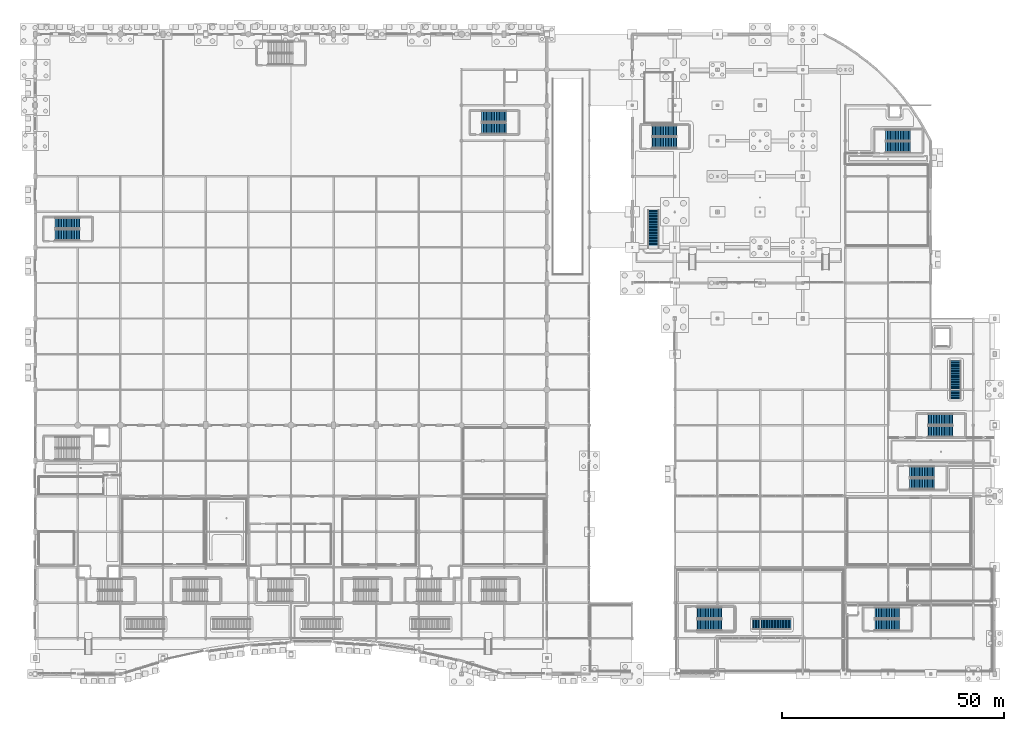
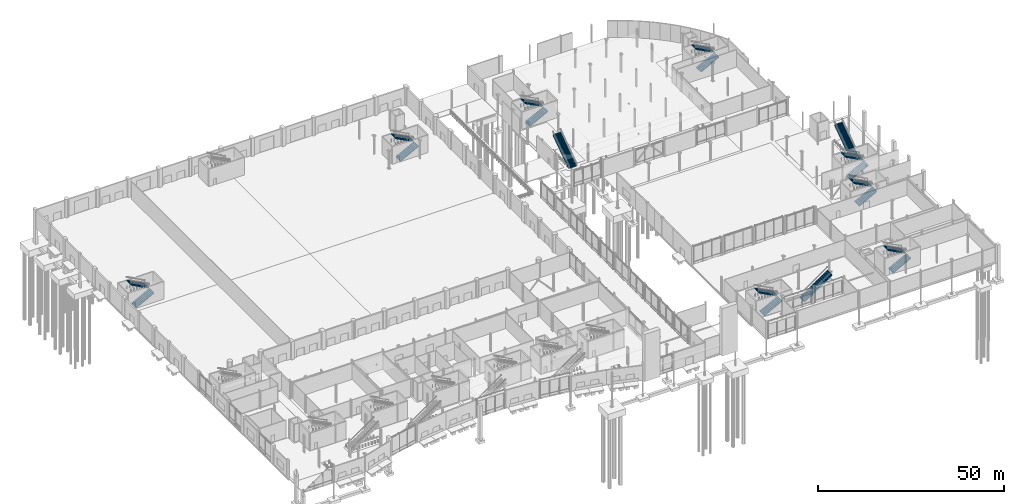
# One storey, part 90 of 124: 19 stair flights, 11 elements without a shape of their own.
"""IFC4 building model written with IfcOpenShell, lengths in metres."""

from ifc_helpers import new_model, si_unit, direction, frame, origin, place, context, subcontext, project, spatial, polyline, outline, extrude, material, type_object, element, aggregate, save


model = new_model("IFC4")

# Units and contexts
model_context = context("Model", 3, precision=1e-05, world=origin(), true_north=direction((0.0, 1.0)))
body_context = subcontext(model_context, "Body", "Model", "MODEL_VIEW")
ifc_project = project(units=[si_unit("LENGTHUNIT", "METRE"), si_unit("AREAUNIT", "SQUARE_METRE"), si_unit("VOLUMEUNIT", "CUBIC_METRE"), si_unit("PLANEANGLEUNIT", "RADIAN"), si_unit("MASSUNIT", "GRAM", prefix="KILO")], contexts=[model_context])

# Site, building, storey
site_placement = place(None, origin())
site = spatial("IfcSite", under=ifc_project, at=site_placement, CompositionType="ELEMENT")
building_placement = place(site_placement, origin())
building = spatial("IfcBuilding", under=site, at=building_placement, Name="Danafjord Basin Convention Centre", CompositionType="ELEMENT")
storey_placement = place(building_placement, origin())
storey = spatial("IfcBuildingStorey", under=building, at=storey_placement, Name="L00", CompositionType="ELEMENT", Elevation=0.0)

# Stair, stair flights
ifc_material_1 = material(Name="Concrete C40/50", Category="concrete")
stair_type_1 = type_object("IfcStairType", Name="STAIR-STR-C01", PredefinedType="TWO_STRAIGHT_RUN_STAIR", material=ifc_material_1)
stair_1_placement = place(storey_placement, origin())
stair_1 = element("IfcStair", 1, at=stair_1_placement, inside=storey, type_object=stair_type_1, Name="L00 North Exhibition Core Stair 1", PredefinedType="HALF_TURN_STAIR")
ifc_material_2 = material(Name="Precast concrete C40/50", Category="concrete")
stair_flight_type = type_object("IfcStairFlightType", Name="SFLT-STD", PredefinedType="STRAIGHT", material=ifc_material_2)
stair_flight_1_placement = place(storey_placement, frame((100.530029296875, 122.81005859375, 0.0), z_axis=(0.0, 0.0, 1.0), x_axis=(1.0, 0.0, 0.0)))
stair_flight_1 = element("IfcStairFlight", 2, at=stair_flight_1_placement, type_object=stair_flight_type, Name="ST-09 flight 1", NumberOfRisers=16, NumberOfTreads=15, PredefinedType="STRAIGHT", RiserHeight=0.1875, TreadLength=0.365, context=body_context, shape_type="SweptSolid", body=[
    extrude(outline(polyline([(-0.06494140625, -0.14990234375), (-0.06494140625, -0.00390625), (0.0, -0.00390625), (0.0, 0.1875), (0.364990234375, 0.1875), (0.364990234375, 0.375), (0.72998046875, 0.375), (0.72998046875, 0.5625), (1.094970703125, 0.5625), (1.094970703125, 0.75), (1.4599609375, 0.75), (1.4599609375, 0.9375), (1.824951171875, 0.9375), (1.824951171875, 1.125), (2.18994140625, 1.125), (2.18994140625, 1.3125), (2.554931640625, 1.3125), (2.554931640625, 1.5), (2.919921875, 1.5), (2.919921875, 1.6875), (3.284912109375, 1.6875), (3.284912109375, 1.875), (3.64990234375, 1.875), (3.64990234375, 2.0625), (4.014892578125, 2.0625), (4.014892578125, 2.25), (4.3798828125, 2.25), (4.3798828125, 2.4375), (4.7451171875, 2.4375), (4.7451171875, 2.625), (5.110107421875, 2.625), (5.110107421875, 2.8125), (5.47509765625, 2.8125), (5.47509765625, 3.0), (5.5400390625, 2.99609375), (5.5400390625, 2.64404296875), (0.328125, -0.14990234375), (-0.06494140625, -0.14990234375)])), frame((0.0, 1.25, 0.0), z_axis=(0.0, -1.0, 0.0), x_axis=(1.0, 0.0, 0.0)), (0.0, 0.0, 1.0), 2.5),
])
stair_flight_2_placement = place(storey_placement, frame((106.0048828125, 125.449951171875, 3.0), z_axis=(0.0, 0.0, 1.0), x_axis=(-1.0, 0.0, 0.0)))
stair_flight_2 = element("IfcStairFlight", 3, at=stair_flight_2_placement, type_object=stair_flight_type, Name="ST-09 flight 2", NumberOfRisers=16, NumberOfTreads=15, PredefinedType="STRAIGHT", RiserHeight=0.1875, TreadLength=0.365, context=body_context, shape_type="SweptSolid", body=[
    extrude(outline(polyline([(-0.06494140625, -0.14990234375), (-0.06494140625, -0.00390625), (0.0, -0.00390625), (0.0, 0.1875), (0.364990234375, 0.1875), (0.364990234375, 0.375), (0.72998046875, 0.375), (0.72998046875, 0.5625), (1.094970703125, 0.5625), (1.094970703125, 0.75), (1.4599609375, 0.75), (1.4599609375, 0.9375), (1.824951171875, 0.9375), (1.824951171875, 1.125), (2.18994140625, 1.125), (2.18994140625, 1.3125), (2.554931640625, 1.3125), (2.554931640625, 1.5), (2.919921875, 1.5), (2.919921875, 1.6875), (3.284912109375, 1.6875), (3.284912109375, 1.875), (3.64990234375, 1.875), (3.64990234375, 2.0625), (4.014892578125, 2.0625), (4.014892578125, 2.25), (4.3798828125, 2.25), (4.3798828125, 2.4375), (4.7451171875, 2.4375), (4.7451171875, 2.625), (5.110107421875, 2.625), (5.110107421875, 2.8125), (5.47509765625, 2.8125), (5.47509765625, 3.0), (5.5400390625, 2.99609375), (5.5400390625, 2.64404296875), (0.328125, -0.14990234375), (-0.06494140625, -0.14990234375)])), frame((0.0, 1.25, 0.0), z_axis=(0.0, -1.0, 0.0), x_axis=(1.0, 0.0, 0.0)), (0.0, 0.0, 1.0), 2.5),
])
aggregate(stair_1, [stair_flight_1, stair_flight_2])

stair_2_placement = place(storey_placement, origin())
stair_2 = element("IfcStair", 4, at=stair_2_placement, inside=storey, type_object=stair_type_1, Name="L00 Plenary North-East Core Stair 1", PredefinedType="HALF_TURN_STAIR")
stair_flight_3_placement = place(storey_placement, frame((191.47998046875, 118.610107421875, 0.0), z_axis=(0.0, 0.0, 1.0), x_axis=(1.0, 0.0, 0.0)))
stair_flight_3 = element("IfcStairFlight", 5, at=stair_flight_3_placement, type_object=stair_flight_type, Name="ST-11 flight 1", NumberOfRisers=16, NumberOfTreads=15, PredefinedType="STRAIGHT", RiserHeight=0.1875, TreadLength=0.365, context=body_context, shape_type="SweptSolid", body=[
    extrude(outline(polyline([(-0.06494140625, -0.14990234375), (-0.06494140625, -0.00390625), (0.0, -0.00390625), (0.0, 0.1875), (0.364990234375, 0.1875), (0.364990234375, 0.375), (0.72998046875, 0.375), (0.72998046875, 0.5625), (1.094970703125, 0.5625), (1.094970703125, 0.75), (1.4599609375, 0.75), (1.4599609375, 0.9375), (1.824951171875, 0.9375), (1.824951171875, 1.125), (2.18994140625, 1.125), (2.18994140625, 1.3125), (2.554931640625, 1.3125), (2.554931640625, 1.5), (2.919921875, 1.5), (2.919921875, 1.6875), (3.284912109375, 1.6875), (3.284912109375, 1.875), (3.64990234375, 1.875), (3.64990234375, 2.0625), (4.014892578125, 2.0625), (4.014892578125, 2.25), (4.3798828125, 2.25), (4.3798828125, 2.4375), (4.7451171875, 2.4375), (4.7451171875, 2.625), (5.110107421875, 2.625), (5.110107421875, 2.8125), (5.47509765625, 2.8125), (5.47509765625, 3.0), (5.5400390625, 2.99609375), (5.5400390625, 2.64404296875), (0.328125, -0.14990234375), (-0.06494140625, -0.14990234375)])), frame((0.0, 1.25, 0.0), z_axis=(0.0, -1.0, 0.0), x_axis=(1.0, 0.0, 0.0)), (0.0, 0.0, 1.0), 2.5),
])
stair_flight_4_placement = place(storey_placement, frame((196.955078125, 121.25, 3.0), z_axis=(0.0, 0.0, 1.0), x_axis=(-1.0, 0.0, 0.0)))
stair_flight_4 = element("IfcStairFlight", 6, at=stair_flight_4_placement, type_object=stair_flight_type, Name="ST-11 flight 2", NumberOfRisers=16, NumberOfTreads=15, PredefinedType="STRAIGHT", RiserHeight=0.1875, TreadLength=0.365, context=body_context, shape_type="SweptSolid", body=[
    extrude(outline(polyline([(-0.06494140625, -0.14990234375), (-0.06494140625, -0.00390625), (0.0, -0.00390625), (0.0, 0.1875), (0.364990234375, 0.1875), (0.364990234375, 0.375), (0.72998046875, 0.375), (0.72998046875, 0.5625), (1.094970703125, 0.5625), (1.094970703125, 0.75), (1.4599609375, 0.75), (1.4599609375, 0.9375), (1.824951171875, 0.9375), (1.824951171875, 1.125), (2.18994140625, 1.125), (2.18994140625, 1.3125), (2.554931640625, 1.3125), (2.554931640625, 1.5), (2.919921875, 1.5), (2.919921875, 1.6875), (3.284912109375, 1.6875), (3.284912109375, 1.875), (3.64990234375, 1.875), (3.64990234375, 2.0625), (4.014892578125, 2.0625), (4.014892578125, 2.25), (4.3798828125, 2.25), (4.3798828125, 2.4375), (4.7451171875, 2.4375), (4.7451171875, 2.625), (5.110107421875, 2.625), (5.110107421875, 2.8125), (5.47509765625, 2.8125), (5.47509765625, 3.0), (5.5400390625, 2.99609375), (5.5400390625, 2.64404296875), (0.328125, -0.14990234375), (-0.06494140625, -0.14990234375)])), frame((0.0, 1.25, 0.0), z_axis=(0.0, -1.0, 0.0), x_axis=(1.0, 0.0, 0.0)), (0.0, 0.0, 1.0), 2.5),
])
aggregate(stair_2, [stair_flight_3, stair_flight_4])

stair_3_placement = place(storey_placement, origin())
stair_3 = element("IfcStair", 7, at=stair_3_placement, inside=storey, type_object=stair_type_1, Name="L00 Ballroom East Core Stair 1", PredefinedType="HALF_TURN_STAIR")
stair_flight_5_placement = place(storey_placement, frame((201.080078125, 54.610107421875, 0.0), z_axis=(0.0, 0.0, 1.0), x_axis=(1.0, 0.0, 0.0)))
stair_flight_5 = element("IfcStairFlight", 8, at=stair_flight_5_placement, type_object=stair_flight_type, Name="ST-13 flight 1", NumberOfRisers=16, NumberOfTreads=15, PredefinedType="STRAIGHT", RiserHeight=0.1875, TreadLength=0.365, context=body_context, shape_type="SweptSolid", body=[
    extrude(outline(polyline([(-0.06494140625, -0.14990234375), (-0.06494140625, -0.00390625), (0.0, -0.00390625), (0.0, 0.1875), (0.364990234375, 0.1875), (0.364990234375, 0.375), (0.72998046875, 0.375), (0.72998046875, 0.5625), (1.094970703125, 0.5625), (1.094970703125, 0.75), (1.4599609375, 0.75), (1.4599609375, 0.9375), (1.824951171875, 0.9375), (1.824951171875, 1.125), (2.18994140625, 1.125), (2.18994140625, 1.3125), (2.554931640625, 1.3125), (2.554931640625, 1.5), (2.919921875, 1.5), (2.919921875, 1.6875), (3.284912109375, 1.6875), (3.284912109375, 1.875), (3.64990234375, 1.875), (3.64990234375, 2.0625), (4.014892578125, 2.0625), (4.014892578125, 2.25), (4.3798828125, 2.25), (4.3798828125, 2.4375), (4.7451171875, 2.4375), (4.7451171875, 2.625), (5.110107421875, 2.625), (5.110107421875, 2.8125), (5.47509765625, 2.8125), (5.47509765625, 3.0), (5.5400390625, 2.99609375), (5.5400390625, 2.64404296875), (0.328125, -0.14990234375), (-0.06494140625, -0.14990234375)])), frame((0.0, 1.25, 0.0), z_axis=(0.0, -1.0, 0.0), x_axis=(1.0, 0.0, 0.0)), (0.0, 0.0, 1.0), 2.5),
])
stair_flight_6_placement = place(storey_placement, frame((206.554931640625, 57.25, 3.0), z_axis=(0.0, 0.0, 1.0), x_axis=(-1.0, 0.0, 0.0)))
stair_flight_6 = element("IfcStairFlight", 9, at=stair_flight_6_placement, type_object=stair_flight_type, Name="ST-13 flight 2", NumberOfRisers=16, NumberOfTreads=15, PredefinedType="STRAIGHT", RiserHeight=0.1875, TreadLength=0.365, context=body_context, shape_type="SweptSolid", body=[
    extrude(outline(polyline([(-0.06494140625, -0.14990234375), (-0.06494140625, -0.00390625), (0.0, -0.00390625), (0.0, 0.1875), (0.364990234375, 0.1875), (0.364990234375, 0.375), (0.72998046875, 0.375), (0.72998046875, 0.5625), (1.094970703125, 0.5625), (1.094970703125, 0.75), (1.4599609375, 0.75), (1.4599609375, 0.9375), (1.824951171875, 0.9375), (1.824951171875, 1.125), (2.18994140625, 1.125), (2.18994140625, 1.3125), (2.554931640625, 1.3125), (2.554931640625, 1.5), (2.919921875, 1.5), (2.919921875, 1.6875), (3.284912109375, 1.6875), (3.284912109375, 1.875), (3.64990234375, 1.875), (3.64990234375, 2.0625), (4.014892578125, 2.0625), (4.014892578125, 2.25), (4.3798828125, 2.25), (4.3798828125, 2.4375), (4.7451171875, 2.4375), (4.7451171875, 2.625), (5.110107421875, 2.625), (5.110107421875, 2.8125), (5.47509765625, 2.8125), (5.47509765625, 3.0), (5.5400390625, 2.99609375), (5.5400390625, 2.64404296875), (0.328125, -0.14990234375), (-0.06494140625, -0.14990234375)])), frame((0.0, 1.25, 0.0), z_axis=(0.0, -1.0, 0.0), x_axis=(1.0, 0.0, 0.0)), (0.0, 0.0, 1.0), 2.5),
])
aggregate(stair_3, [stair_flight_5, stair_flight_6])

stair_4_placement = place(storey_placement, origin())
stair_4 = element("IfcStair", 10, at=stair_4_placement, inside=storey, type_object=stair_type_1, Name="L00 Harbour Pavilion Core Stair 1", PredefinedType="HALF_TURN_STAIR")
stair_flight_7_placement = place(storey_placement, frame((189.080078125, 11.06005859375, 0.0), z_axis=(0.0, 0.0, 1.0), x_axis=(1.0, 0.0, 0.0)))
stair_flight_7 = element("IfcStairFlight", 11, at=stair_flight_7_placement, type_object=stair_flight_type, Name="ST-15 flight 1", NumberOfRisers=16, NumberOfTreads=15, PredefinedType="STRAIGHT", RiserHeight=0.1875, TreadLength=0.365, context=body_context, shape_type="SweptSolid", body=[
    extrude(outline(polyline([(-0.06494140625, -0.14990234375), (-0.06494140625, -0.00390625), (0.0, -0.00390625), (0.0, 0.1875), (0.364990234375, 0.1875), (0.364990234375, 0.375), (0.72998046875, 0.375), (0.72998046875, 0.5625), (1.094970703125, 0.5625), (1.094970703125, 0.75), (1.4599609375, 0.75), (1.4599609375, 0.9375), (1.824951171875, 0.9375), (1.824951171875, 1.125), (2.18994140625, 1.125), (2.18994140625, 1.3125), (2.554931640625, 1.3125), (2.554931640625, 1.5), (2.919921875, 1.5), (2.919921875, 1.6875), (3.284912109375, 1.6875), (3.284912109375, 1.875), (3.64990234375, 1.875), (3.64990234375, 2.0625), (4.014892578125, 2.0625), (4.014892578125, 2.25), (4.3798828125, 2.25), (4.3798828125, 2.4375), (4.7451171875, 2.4375), (4.7451171875, 2.625), (5.110107421875, 2.625), (5.110107421875, 2.8125), (5.47509765625, 2.8125), (5.47509765625, 3.0), (5.5400390625, 2.99609375), (5.5400390625, 2.64404296875), (0.328125, -0.14990234375), (-0.06494140625, -0.14990234375)])), frame((0.0, 1.25, 0.0), z_axis=(0.0, -1.0, 0.0), x_axis=(1.0, 0.0, 0.0)), (0.0, 0.0, 1.0), 2.5),
])
stair_flight_8_placement = place(storey_placement, frame((194.554931640625, 13.699951171875, 3.0), z_axis=(0.0, 0.0, 1.0), x_axis=(-1.0, 0.0, 0.0)))
stair_flight_8 = element("IfcStairFlight", 12, at=stair_flight_8_placement, type_object=stair_flight_type, Name="ST-15 flight 2", NumberOfRisers=16, NumberOfTreads=15, PredefinedType="STRAIGHT", RiserHeight=0.1875, TreadLength=0.365, context=body_context, shape_type="SweptSolid", body=[
    extrude(outline(polyline([(-0.06494140625, -0.14990234375), (-0.06494140625, -0.00390625), (0.0, -0.00390625), (0.0, 0.1875), (0.364990234375, 0.1875), (0.364990234375, 0.375), (0.72998046875, 0.375), (0.72998046875, 0.5625), (1.094970703125, 0.5625), (1.094970703125, 0.75), (1.4599609375, 0.75), (1.4599609375, 0.9375), (1.824951171875, 0.9375), (1.824951171875, 1.125), (2.18994140625, 1.125), (2.18994140625, 1.3125), (2.554931640625, 1.3125), (2.554931640625, 1.5), (2.919921875, 1.5), (2.919921875, 1.6875), (3.284912109375, 1.6875), (3.284912109375, 1.875), (3.64990234375, 1.875), (3.64990234375, 2.0625), (4.014892578125, 2.0625), (4.014892578125, 2.25), (4.3798828125, 2.25), (4.3798828125, 2.4375), (4.7451171875, 2.4375), (4.7451171875, 2.625), (5.110107421875, 2.625), (5.110107421875, 2.8125), (5.47509765625, 2.8125), (5.47509765625, 3.0), (5.5400390625, 2.99609375), (5.5400390625, 2.64404296875), (0.328125, -0.14990234375), (-0.06494140625, -0.14990234375)])), frame((0.0, 1.25, 0.0), z_axis=(0.0, -1.0, 0.0), x_axis=(1.0, 0.0, 0.0)), (0.0, 0.0, 1.0), 2.5),
])
aggregate(stair_4, [stair_flight_7, stair_flight_8])

stair_5_placement = place(storey_placement, origin())
stair_5 = element("IfcStair", 13, at=stair_5_placement, inside=storey, type_object=stair_type_1, Name="L00 West Exhibition Perimeter Stair", PredefinedType="HALF_TURN_STAIR")
stair_flight_9_placement = place(storey_placement, frame((4.530029296875, 98.81005859375, 0.0), z_axis=(0.0, 0.0, 1.0), x_axis=(1.0, 0.0, 0.0)))
stair_flight_9 = element("IfcStairFlight", 14, at=stair_flight_9_placement, type_object=stair_flight_type, Name="ST-08 flight 1", NumberOfRisers=16, NumberOfTreads=15, PredefinedType="STRAIGHT", RiserHeight=0.1875, TreadLength=0.365, context=body_context, shape_type="SweptSolid", body=[
    extrude(outline(polyline([(-0.06494140625, -0.14990234375), (-0.06494140625, -0.00390625), (0.0, -0.00390625), (0.0, 0.1875), (0.364990234375, 0.1875), (0.364990234375, 0.375), (0.72998046875, 0.375), (0.72998046875, 0.5625), (1.094970703125, 0.5625), (1.094970703125, 0.75), (1.4599609375, 0.75), (1.4599609375, 0.9375), (1.824951171875, 0.9375), (1.824951171875, 1.125), (2.18994140625, 1.125), (2.18994140625, 1.3125), (2.554931640625, 1.3125), (2.554931640625, 1.5), (2.919921875, 1.5), (2.919921875, 1.6875), (3.284912109375, 1.6875), (3.284912109375, 1.875), (3.64990234375, 1.875), (3.64990234375, 2.0625), (4.014892578125, 2.0625), (4.014892578125, 2.25), (4.3798828125, 2.25), (4.3798828125, 2.4375), (4.7451171875, 2.4375), (4.7451171875, 2.625), (5.110107421875, 2.625), (5.110107421875, 2.8125), (5.47509765625, 2.8125), (5.47509765625, 3.0), (5.5400390625, 2.99609375), (5.5400390625, 2.64404296875), (0.328125, -0.14990234375), (-0.06494140625, -0.14990234375)])), frame((0.0, 1.25, 0.0), z_axis=(0.0, -1.0, 0.0), x_axis=(1.0, 0.0, 0.0)), (0.0, 0.0, 1.0), 2.5),
])
stair_flight_10_placement = place(storey_placement, frame((10.0048828125, 101.449951171875, 3.0), z_axis=(0.0, 0.0, 1.0), x_axis=(-1.0, 0.0, 0.0)))
stair_flight_10 = element("IfcStairFlight", 15, at=stair_flight_10_placement, type_object=stair_flight_type, Name="ST-08 flight 2", NumberOfRisers=16, NumberOfTreads=15, PredefinedType="STRAIGHT", RiserHeight=0.1875, TreadLength=0.365, context=body_context, shape_type="SweptSolid", body=[
    extrude(outline(polyline([(-0.06494140625, -0.14990234375), (-0.06494140625, -0.00390625), (0.0, -0.00390625), (0.0, 0.1875), (0.364990234375, 0.1875), (0.364990234375, 0.375), (0.72998046875, 0.375), (0.72998046875, 0.5625), (1.094970703125, 0.5625), (1.094970703125, 0.75), (1.4599609375, 0.75), (1.4599609375, 0.9375), (1.824951171875, 0.9375), (1.824951171875, 1.125), (2.18994140625, 1.125), (2.18994140625, 1.3125), (2.554931640625, 1.3125), (2.554931640625, 1.5), (2.919921875, 1.5), (2.919921875, 1.6875), (3.284912109375, 1.6875), (3.284912109375, 1.875), (3.64990234375, 1.875), (3.64990234375, 2.0625), (4.014892578125, 2.0625), (4.014892578125, 2.25), (4.3798828125, 2.25), (4.3798828125, 2.4375), (4.7451171875, 2.4375), (4.7451171875, 2.625), (5.110107421875, 2.625), (5.110107421875, 2.8125), (5.47509765625, 2.8125), (5.47509765625, 3.0), (5.5400390625, 2.99609375), (5.5400390625, 2.64404296875), (0.328125, -0.14990234375), (-0.06494140625, -0.14990234375)])), frame((0.0, 1.25, 0.0), z_axis=(0.0, -1.0, 0.0), x_axis=(1.0, 0.0, 0.0)), (0.0, 0.0, 1.0), 2.5),
])
aggregate(stair_5, [stair_flight_9, stair_flight_10])

stair_6_placement = place(storey_placement, origin())
stair_6 = element("IfcStair", 16, at=stair_6_placement, inside=storey, type_object=stair_type_1, Name="L00 Plenary West Escape Stair", PredefinedType="HALF_TURN_STAIR")
stair_flight_11_placement = place(storey_placement, frame((138.929931640625, 119.610107421875, 0.0), z_axis=(0.0, 0.0, 1.0), x_axis=(1.0, 0.0, 0.0)))
stair_flight_11 = element("IfcStairFlight", 17, at=stair_flight_11_placement, type_object=stair_flight_type, Name="ST-12 flight 1", NumberOfRisers=16, NumberOfTreads=15, PredefinedType="STRAIGHT", RiserHeight=0.1875, TreadLength=0.365, context=body_context, shape_type="SweptSolid", body=[
    extrude(outline(polyline([(-0.06494140625, -0.14990234375), (-0.06494140625, -0.00390625), (0.0, -0.00390625), (0.0, 0.1875), (0.364990234375, 0.1875), (0.364990234375, 0.375), (0.72998046875, 0.375), (0.72998046875, 0.5625), (1.094970703125, 0.5625), (1.094970703125, 0.75), (1.4599609375, 0.75), (1.4599609375, 0.9375), (1.824951171875, 0.9375), (1.824951171875, 1.125), (2.18994140625, 1.125), (2.18994140625, 1.3125), (2.554931640625, 1.3125), (2.554931640625, 1.5), (2.919921875, 1.5), (2.919921875, 1.6875), (3.284912109375, 1.6875), (3.284912109375, 1.875), (3.64990234375, 1.875), (3.64990234375, 2.0625), (4.014892578125, 2.0625), (4.014892578125, 2.25), (4.3798828125, 2.25), (4.3798828125, 2.4375), (4.7451171875, 2.4375), (4.7451171875, 2.625), (5.110107421875, 2.625), (5.110107421875, 2.8125), (5.47509765625, 2.8125), (5.47509765625, 3.0), (5.5400390625, 2.99609375), (5.5400390625, 2.64404296875), (0.328125, -0.14990234375), (-0.06494140625, -0.14990234375)])), frame((0.0, 1.25, 0.0), z_axis=(0.0, -1.0, 0.0), x_axis=(1.0, 0.0, 0.0)), (0.0, 0.0, 1.0), 2.5),
])
stair_flight_12_placement = place(storey_placement, frame((144.405029296875, 122.25, 3.0), z_axis=(0.0, 0.0, 1.0), x_axis=(-1.0, 0.0, 0.0)))
stair_flight_12 = element("IfcStairFlight", 18, at=stair_flight_12_placement, type_object=stair_flight_type, Name="ST-12 flight 2", NumberOfRisers=16, NumberOfTreads=15, PredefinedType="STRAIGHT", RiserHeight=0.1875, TreadLength=0.365, context=body_context, shape_type="SweptSolid", body=[
    extrude(outline(polyline([(-0.06494140625, -0.14990234375), (-0.06494140625, -0.00390625), (0.0, -0.00390625), (0.0, 0.1875), (0.364990234375, 0.1875), (0.364990234375, 0.375), (0.72998046875, 0.375), (0.72998046875, 0.5625), (1.094970703125, 0.5625), (1.094970703125, 0.75), (1.4599609375, 0.75), (1.4599609375, 0.9375), (1.824951171875, 0.9375), (1.824951171875, 1.125), (2.18994140625, 1.125), (2.18994140625, 1.3125), (2.554931640625, 1.3125), (2.554931640625, 1.5), (2.919921875, 1.5), (2.919921875, 1.6875), (3.284912109375, 1.6875), (3.284912109375, 1.875), (3.64990234375, 1.875), (3.64990234375, 2.0625), (4.014892578125, 2.0625), (4.014892578125, 2.25), (4.3798828125, 2.25), (4.3798828125, 2.4375), (4.7451171875, 2.4375), (4.7451171875, 2.625), (5.110107421875, 2.625), (5.110107421875, 2.8125), (5.47509765625, 2.8125), (5.47509765625, 3.0), (5.5400390625, 2.99609375), (5.5400390625, 2.64404296875), (0.328125, -0.14990234375), (-0.06494140625, -0.14990234375)])), frame((0.0, 1.25, 0.0), z_axis=(0.0, -1.0, 0.0), x_axis=(1.0, 0.0, 0.0)), (0.0, 0.0, 1.0), 2.5),
])
aggregate(stair_6, [stair_flight_11, stair_flight_12])

stair_7_placement = place(storey_placement, origin())
stair_7 = element("IfcStair", 19, at=stair_7_placement, inside=storey, type_object=stair_type_1, Name="L00 Ballroom South-East Escape Stair", PredefinedType="HALF_TURN_STAIR")
stair_flight_13_placement = place(storey_placement, frame((196.8798828125, 42.81005859375, 0.0), z_axis=(0.0, 0.0, 1.0), x_axis=(1.0, 0.0, 0.0)))
stair_flight_13 = element("IfcStairFlight", 20, at=stair_flight_13_placement, type_object=stair_flight_type, Name="ST-14 flight 1", NumberOfRisers=16, NumberOfTreads=15, PredefinedType="STRAIGHT", RiserHeight=0.1875, TreadLength=0.365, context=body_context, shape_type="SweptSolid", body=[
    extrude(outline(polyline([(-0.06494140625, -0.14990234375), (-0.06494140625, -0.00390625), (0.0, -0.00390625), (0.0, 0.1875), (0.364990234375, 0.1875), (0.364990234375, 0.375), (0.72998046875, 0.375), (0.72998046875, 0.5625), (1.094970703125, 0.5625), (1.094970703125, 0.75), (1.4599609375, 0.75), (1.4599609375, 0.9375), (1.824951171875, 0.9375), (1.824951171875, 1.125), (2.18994140625, 1.125), (2.18994140625, 1.3125), (2.554931640625, 1.3125), (2.554931640625, 1.5), (2.919921875, 1.5), (2.919921875, 1.6875), (3.284912109375, 1.6875), (3.284912109375, 1.875), (3.64990234375, 1.875), (3.64990234375, 2.0625), (4.014892578125, 2.0625), (4.014892578125, 2.25), (4.3798828125, 2.25), (4.3798828125, 2.4375), (4.7451171875, 2.4375), (4.7451171875, 2.625), (5.110107421875, 2.625), (5.110107421875, 2.8125), (5.47509765625, 2.8125), (5.47509765625, 3.0), (5.5400390625, 2.99609375), (5.5400390625, 2.64404296875), (0.328125, -0.14990234375), (-0.06494140625, -0.14990234375)])), frame((0.0, 1.25, 0.0), z_axis=(0.0, -1.0, 0.0), x_axis=(1.0, 0.0, 0.0)), (0.0, 0.0, 1.0), 2.5),
])
stair_flight_14_placement = place(storey_placement, frame((202.35498046875, 45.449951171875, 3.0), z_axis=(0.0, 0.0, 1.0), x_axis=(-1.0, 0.0, 0.0)))
stair_flight_14 = element("IfcStairFlight", 21, at=stair_flight_14_placement, type_object=stair_flight_type, Name="ST-14 flight 2", NumberOfRisers=16, NumberOfTreads=15, PredefinedType="STRAIGHT", RiserHeight=0.1875, TreadLength=0.365, context=body_context, shape_type="SweptSolid", body=[
    extrude(outline(polyline([(-0.06494140625, -0.14990234375), (-0.06494140625, -0.00390625), (0.0, -0.00390625), (0.0, 0.1875), (0.364990234375, 0.1875), (0.364990234375, 0.375), (0.72998046875, 0.375), (0.72998046875, 0.5625), (1.094970703125, 0.5625), (1.094970703125, 0.75), (1.4599609375, 0.75), (1.4599609375, 0.9375), (1.824951171875, 0.9375), (1.824951171875, 1.125), (2.18994140625, 1.125), (2.18994140625, 1.3125), (2.554931640625, 1.3125), (2.554931640625, 1.5), (2.919921875, 1.5), (2.919921875, 1.6875), (3.284912109375, 1.6875), (3.284912109375, 1.875), (3.64990234375, 1.875), (3.64990234375, 2.0625), (4.014892578125, 2.0625), (4.014892578125, 2.25), (4.3798828125, 2.25), (4.3798828125, 2.4375), (4.7451171875, 2.4375), (4.7451171875, 2.625), (5.110107421875, 2.625), (5.110107421875, 2.8125), (5.47509765625, 2.8125), (5.47509765625, 3.0), (5.5400390625, 2.99609375), (5.5400390625, 2.64404296875), (0.328125, -0.14990234375), (-0.06494140625, -0.14990234375)])), frame((0.0, 1.25, 0.0), z_axis=(0.0, -1.0, 0.0), x_axis=(1.0, 0.0, 0.0)), (0.0, 0.0, 1.0), 2.5),
])
aggregate(stair_7, [stair_flight_13, stair_flight_14])

stair_8_placement = place(storey_placement, origin())
stair_8 = element("IfcStair", 22, at=stair_8_placement, inside=storey, type_object=stair_type_1, Name="L00 Harbour Pavilion West Escape Stair", PredefinedType="HALF_TURN_STAIR")
stair_flight_15_placement = place(storey_placement, frame((149.080078125, 11.06005859375, 0.0), z_axis=(0.0, 0.0, 1.0), x_axis=(1.0, 0.0, 0.0)))
stair_flight_15 = element("IfcStairFlight", 23, at=stair_flight_15_placement, type_object=stair_flight_type, Name="ST-16 flight 1", NumberOfRisers=16, NumberOfTreads=15, PredefinedType="STRAIGHT", RiserHeight=0.1875, TreadLength=0.365, context=body_context, shape_type="SweptSolid", body=[
    extrude(outline(polyline([(-0.06494140625, -0.14990234375), (-0.06494140625, -0.00390625), (0.0, -0.00390625), (0.0, 0.1875), (0.364990234375, 0.1875), (0.364990234375, 0.375), (0.72998046875, 0.375), (0.72998046875, 0.5625), (1.094970703125, 0.5625), (1.094970703125, 0.75), (1.4599609375, 0.75), (1.4599609375, 0.9375), (1.824951171875, 0.9375), (1.824951171875, 1.125), (2.18994140625, 1.125), (2.18994140625, 1.3125), (2.554931640625, 1.3125), (2.554931640625, 1.5), (2.919921875, 1.5), (2.919921875, 1.6875), (3.284912109375, 1.6875), (3.284912109375, 1.875), (3.64990234375, 1.875), (3.64990234375, 2.0625), (4.014892578125, 2.0625), (4.014892578125, 2.25), (4.3798828125, 2.25), (4.3798828125, 2.4375), (4.7451171875, 2.4375), (4.7451171875, 2.625), (5.110107421875, 2.625), (5.110107421875, 2.8125), (5.47509765625, 2.8125), (5.47509765625, 3.0), (5.5400390625, 2.99609375), (5.5400390625, 2.64404296875), (0.328125, -0.14990234375), (-0.06494140625, -0.14990234375)])), frame((0.0, 1.25, 0.0), z_axis=(0.0, -1.0, 0.0), x_axis=(1.0, 0.0, 0.0)), (0.0, 0.0, 1.0), 2.5),
])
stair_flight_16_placement = place(storey_placement, frame((154.554931640625, 13.699951171875, 3.0), z_axis=(0.0, 0.0, 1.0), x_axis=(-1.0, 0.0, 0.0)))
stair_flight_16 = element("IfcStairFlight", 24, at=stair_flight_16_placement, type_object=stair_flight_type, Name="ST-16 flight 2", NumberOfRisers=16, NumberOfTreads=15, PredefinedType="STRAIGHT", RiserHeight=0.1875, TreadLength=0.365, context=body_context, shape_type="SweptSolid", body=[
    extrude(outline(polyline([(-0.06494140625, -0.14990234375), (-0.06494140625, -0.00390625), (0.0, -0.00390625), (0.0, 0.1875), (0.364990234375, 0.1875), (0.364990234375, 0.375), (0.72998046875, 0.375), (0.72998046875, 0.5625), (1.094970703125, 0.5625), (1.094970703125, 0.75), (1.4599609375, 0.75), (1.4599609375, 0.9375), (1.824951171875, 0.9375), (1.824951171875, 1.125), (2.18994140625, 1.125), (2.18994140625, 1.3125), (2.554931640625, 1.3125), (2.554931640625, 1.5), (2.919921875, 1.5), (2.919921875, 1.6875), (3.284912109375, 1.6875), (3.284912109375, 1.875), (3.64990234375, 1.875), (3.64990234375, 2.0625), (4.014892578125, 2.0625), (4.014892578125, 2.25), (4.3798828125, 2.25), (4.3798828125, 2.4375), (4.7451171875, 2.4375), (4.7451171875, 2.625), (5.110107421875, 2.625), (5.110107421875, 2.8125), (5.47509765625, 2.8125), (5.47509765625, 3.0), (5.5400390625, 2.99609375), (5.5400390625, 2.64404296875), (0.328125, -0.14990234375), (-0.06494140625, -0.14990234375)])), frame((0.0, 1.25, 0.0), z_axis=(0.0, -1.0, 0.0), x_axis=(1.0, 0.0, 0.0)), (0.0, 0.0, 1.0), 2.5),
])
aggregate(stair_8, [stair_flight_15, stair_flight_16])

# Stair, stair flight
stair_type_2 = type_object("IfcStairType", Name="STAIR-STR-F02", PredefinedType="TWO_STRAIGHT_RUN_STAIR", material=ifc_material_1)
stair_9_placement = place(storey_placement, origin())
stair_9 = element("IfcStair", 25, at=stair_9_placement, inside=storey, type_object=stair_type_2, Name="Plenary Foyer Grand Stair", PredefinedType="TWO_STRAIGHT_RUN_STAIR")
stair_flight_17_placement = place(storey_placement, frame((139.199951171875, 95.800048828125, 0.0), z_axis=(0.0, 0.0, 1.0), x_axis=(0.0, 1.0, 0.0)))
stair_flight_17 = element("IfcStairFlight", 26, at=stair_flight_17_placement, type_object=stair_flight_type, Name="Plenary Foyer Grand Stair flight", NumberOfRisers=32, NumberOfTreads=31, PredefinedType="STRAIGHT", RiserHeight=0.1875, TreadLength=0.275, context=body_context, shape_type="SweptSolid", body=[
    extrude(outline(polyline([(-0.06494140625, -0.159912109375), (-0.06494140625, -0.00390625), (0.0, -0.00390625), (0.0, 0.1875), (0.27490234375, 0.1875), (0.27490234375, 0.375), (0.550048828125, 0.375), (0.550048828125, 0.5625), (0.824951171875, 0.5625), (0.824951171875, 0.75), (1.10009765625, 0.75), (1.10009765625, 0.9375), (1.375, 0.9375), (1.375, 1.125), (1.64990234375, 1.125), (1.64990234375, 1.3125), (1.925048828125, 1.3125), (1.925048828125, 1.5), (2.199951171875, 1.5), (2.199951171875, 1.6875), (2.47509765625, 1.6875), (2.47509765625, 1.875), (2.75, 1.875), (2.75, 2.0625), (3.02490234375, 2.0625), (3.02490234375, 2.25), (3.300048828125, 2.25), (3.300048828125, 2.4375), (3.574951171875, 2.4375), (3.574951171875, 2.625), (3.85009765625, 2.625), (3.85009765625, 2.8125), (4.125, 2.8125), (4.125, 3.0), (4.39990234375, 3.0), (4.39990234375, 3.1875), (4.675048828125, 3.1875), (4.675048828125, 3.375), (4.949951171875, 3.375), (4.949951171875, 3.5625), (5.22509765625, 3.5625), (5.22509765625, 3.75), (5.5, 3.75), (5.5, 3.9375), (5.77490234375, 3.9375), (5.77490234375, 4.125), (6.050048828125, 4.125), (6.050048828125, 4.3125), (6.324951171875, 4.3125), (6.324951171875, 4.5), (6.60009765625, 4.5), (6.60009765625, 4.6875), (6.875, 4.6875), (6.875, 4.875), (7.14990234375, 4.875), (7.14990234375, 5.0625), (7.425048828125, 5.0625), (7.425048828125, 5.25), (7.699951171875, 5.25), (7.699951171875, 5.4375), (7.97509765625, 5.4375), (7.97509765625, 5.625), (8.25, 5.625), (8.25, 5.8125), (8.52490234375, 5.8125), (8.52490234375, 6.0), (8.590087890625, 5.99609375), (8.590087890625, 5.54638671875), (0.390380859375, -0.159912109375), (-0.06494140625, -0.159912109375)])), frame((0.0, 1.22509765625, 0.0), z_axis=(0.0, -1.0, 0.0), x_axis=(1.0, 0.0, 0.0)), (0.0, 0.0, 1.0), 2.449951171875),
])
aggregate(stair_9, [stair_flight_17])

stair_type_3 = type_object("IfcStairType", Name="STAIR-STR-F01", PredefinedType="STRAIGHT_RUN_STAIR", material=ifc_material_1)
stair_10_placement = place(storey_placement, origin())
stair_10 = element("IfcStair", 27, at=stair_10_placement, inside=storey, type_object=stair_type_3, Name="Ballroom Pre-Function Grand Stair", PredefinedType="STRAIGHT_RUN_STAIR")
stair_flight_18_placement = place(storey_placement, frame((207.199951171875, 62.0, 0.0), z_axis=(0.0, 0.0, 1.0), x_axis=(0.0, 1.0, 0.0)))
stair_flight_18 = element("IfcStairFlight", 28, at=stair_flight_18_placement, type_object=stair_flight_type, Name="Ballroom Pre-Function Grand Stair flight", NumberOfRisers=32, NumberOfTreads=31, PredefinedType="STRAIGHT", RiserHeight=0.1875, TreadLength=0.275, context=body_context, shape_type="SweptSolid", body=[
    extrude(outline(polyline([(-0.06494140625, -0.159912109375), (-0.06494140625, -0.00390625), (0.0, -0.00390625), (0.0, 0.1875), (0.27490234375, 0.1875), (0.27490234375, 0.375), (0.550048828125, 0.375), (0.550048828125, 0.5625), (0.824951171875, 0.5625), (0.824951171875, 0.75), (1.10009765625, 0.75), (1.10009765625, 0.9375), (1.375, 0.9375), (1.375, 1.125), (1.64990234375, 1.125), (1.64990234375, 1.3125), (1.925048828125, 1.3125), (1.925048828125, 1.5), (2.199951171875, 1.5), (2.199951171875, 1.6875), (2.47509765625, 1.6875), (2.47509765625, 1.875), (2.75, 1.875), (2.75, 2.0625), (3.02490234375, 2.0625), (3.02490234375, 2.25), (3.300048828125, 2.25), (3.300048828125, 2.4375), (3.574951171875, 2.4375), (3.574951171875, 2.625), (3.85009765625, 2.625), (3.85009765625, 2.8125), (4.125, 2.8125), (4.125, 3.0), (4.39990234375, 3.0), (4.39990234375, 3.1875), (4.675048828125, 3.1875), (4.675048828125, 3.375), (4.949951171875, 3.375), (4.949951171875, 3.5625), (5.22509765625, 3.5625), (5.22509765625, 3.75), (5.5, 3.75), (5.5, 3.9375), (5.77490234375, 3.9375), (5.77490234375, 4.125), (6.050048828125, 4.125), (6.050048828125, 4.3125), (6.324951171875, 4.3125), (6.324951171875, 4.5), (6.60009765625, 4.5), (6.60009765625, 4.6875), (6.875, 4.6875), (6.875, 4.875), (7.14990234375, 4.875), (7.14990234375, 5.0625), (7.425048828125, 5.0625), (7.425048828125, 5.25), (7.699951171875, 5.25), (7.699951171875, 5.4375), (7.97509765625, 5.4375), (7.97509765625, 5.625), (8.25, 5.625), (8.25, 5.8125), (8.52490234375, 5.8125), (8.52490234375, 6.0), (8.590087890625, 5.99609375), (8.590087890625, 5.54638671875), (0.390380859375, -0.159912109375), (-0.06494140625, -0.159912109375)])), frame((0.0, 1.22509765625, 0.0), z_axis=(0.0, -1.0, 0.0), x_axis=(1.0, 0.0, 0.0)), (0.0, 0.0, 1.0), 2.449951171875),
])
aggregate(stair_10, [stair_flight_18])

stair_11_placement = place(storey_placement, origin())
stair_11 = element("IfcStair", 29, at=stair_11_placement, inside=storey, type_object=stair_type_3, Name="Harbour Brasserie Gallery Stair", PredefinedType="STRAIGHT_RUN_STAIR")
stair_flight_19_placement = place(storey_placement, frame((161.60009765625, 11.199951171875, 0.0), z_axis=(0.0, 0.0, 1.0), x_axis=(1.0, 0.0, 0.0)))
stair_flight_19 = element("IfcStairFlight", 30, at=stair_flight_19_placement, type_object=stair_flight_type, Name="Harbour Brasserie Gallery Stair flight", NumberOfRisers=32, NumberOfTreads=31, PredefinedType="STRAIGHT", RiserHeight=0.1875, TreadLength=0.275, context=body_context, shape_type="SweptSolid", body=[
    extrude(outline(polyline([(-0.06494140625, -0.159912109375), (-0.06494140625, -0.00390625), (0.0, -0.00390625), (0.0, 0.1875), (0.27490234375, 0.1875), (0.27490234375, 0.375), (0.550048828125, 0.375), (0.550048828125, 0.5625), (0.824951171875, 0.5625), (0.824951171875, 0.75), (1.10009765625, 0.75), (1.10009765625, 0.9375), (1.375, 0.9375), (1.375, 1.125), (1.64990234375, 1.125), (1.64990234375, 1.3125), (1.925048828125, 1.3125), (1.925048828125, 1.5), (2.199951171875, 1.5), (2.199951171875, 1.6875), (2.47509765625, 1.6875), (2.47509765625, 1.875), (2.75, 1.875), (2.75, 2.0625), (3.02490234375, 2.0625), (3.02490234375, 2.25), (3.300048828125, 2.25), (3.300048828125, 2.4375), (3.574951171875, 2.4375), (3.574951171875, 2.625), (3.85009765625, 2.625), (3.85009765625, 2.8125), (4.125, 2.8125), (4.125, 3.0), (4.39990234375, 3.0), (4.39990234375, 3.1875), (4.675048828125, 3.1875), (4.675048828125, 3.375), (4.949951171875, 3.375), (4.949951171875, 3.5625), (5.22509765625, 3.5625), (5.22509765625, 3.75), (5.5, 3.75), (5.5, 3.9375), (5.77490234375, 3.9375), (5.77490234375, 4.125), (6.050048828125, 4.125), (6.050048828125, 4.3125), (6.324951171875, 4.3125), (6.324951171875, 4.5), (6.60009765625, 4.5), (6.60009765625, 4.6875), (6.875, 4.6875), (6.875, 4.875), (7.14990234375, 4.875), (7.14990234375, 5.0625), (7.425048828125, 5.0625), (7.425048828125, 5.25), (7.699951171875, 5.25), (7.699951171875, 5.4375), (7.97509765625, 5.4375), (7.97509765625, 5.625), (8.25, 5.625), (8.25, 5.8125), (8.52490234375, 5.8125), (8.52490234375, 6.0), (8.590087890625, 5.99609375), (8.590087890625, 5.54638671875), (0.390380859375, -0.159912109375), (-0.06494140625, -0.159912109375)])), frame((0.0, 1.22509765625, 0.0), z_axis=(0.0, -1.0, 0.0), x_axis=(1.0, 0.0, 0.0)), (0.0, 0.0, 1.0), 2.449951171875),
])
aggregate(stair_11, [stair_flight_19])

save(model, "model.ifc")
